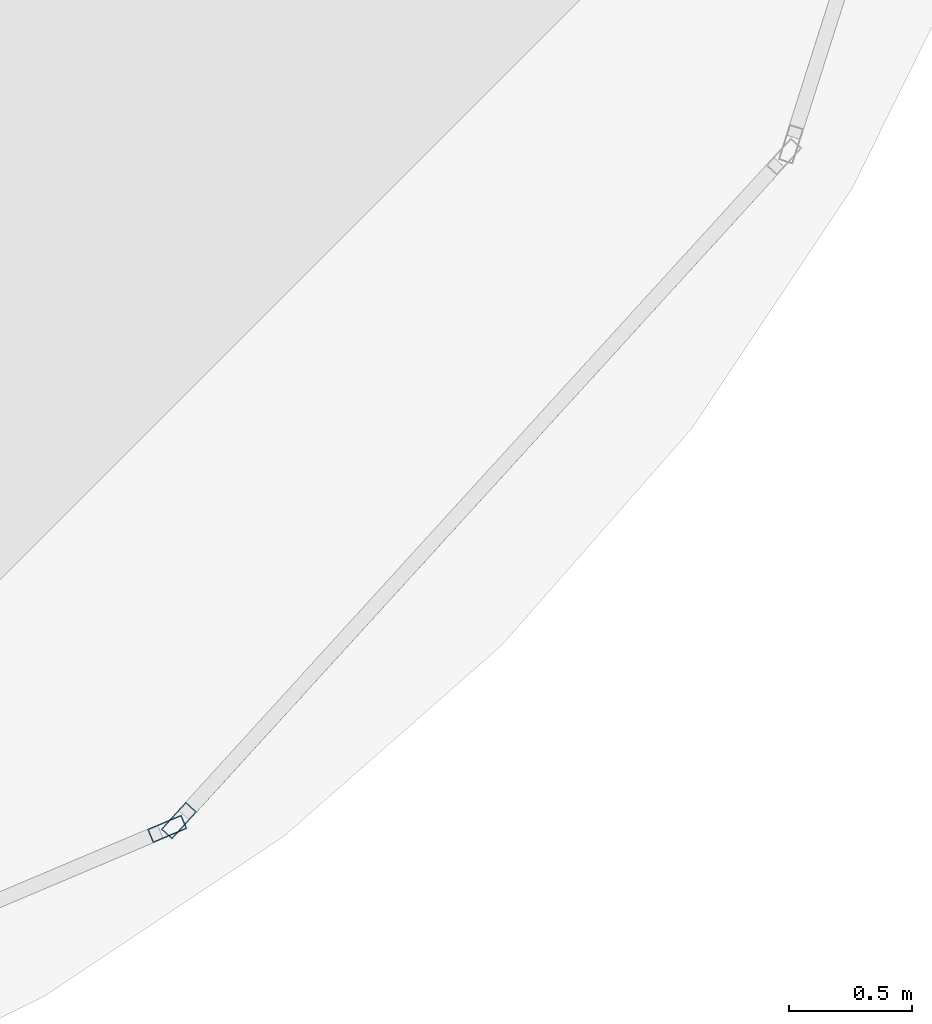
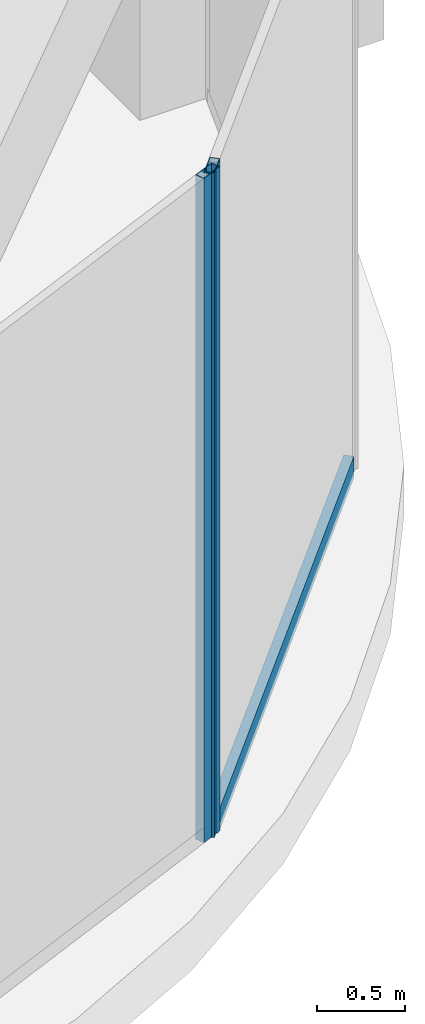
# One storey, part 11 of 32: 3 members, 2 elements without a shape of their own.
"""IFC4 building model written with IfcOpenShell, lengths in metres."""

from ifc_helpers import new_model, si_unit, direction, frame, origin, origin_2d, place, context, subcontext, project, spatial, hollow_rectangle, extrude, material, material_profile, profile_set, type_object, element, aggregate, save


model = new_model("IFC4")

# Units and contexts
model_context = context("Model", 3, precision=1e-05, world=origin(), true_north=direction((0.0, 1.0)))
body_context = subcontext(model_context, "Body", "Model", "MODEL_VIEW")
ifc_project = project(units=[si_unit("LENGTHUNIT", "METRE"), si_unit("AREAUNIT", "SQUARE_METRE"), si_unit("VOLUMEUNIT", "CUBIC_METRE"), si_unit("PLANEANGLEUNIT", "RADIAN"), si_unit("MASSUNIT", "GRAM", prefix="KILO")], contexts=[model_context])

# Site, building, storey
site_placement = place(None, origin())
site = spatial("IfcSite", under=ifc_project, at=site_placement, CompositionType="ELEMENT")
building_placement = place(site_placement, origin())
building = spatial("IfcBuilding", under=site, at=building_placement, Name="Zorevar Civic Tower", CompositionType="ELEMENT")
storey_placement = place(building_placement, frame((0.0, 0.0, 234.39990234375)))
storey = spatial("IfcBuildingStorey", under=building, at=storey_placement, Name="L57", CompositionType="ELEMENT", Elevation=234.39990234375)

# Curtain wall, member
ifc_material_1 = material(Name="Black aluminium louvres", Category="aluminium")
curtain_wall_type = type_object("IfcCurtainWallType", Name="Louvred curtain wall CW6 refuge", PredefinedType="NOTDEFINED", material=ifc_material_1)
curtain_wall_1_placement = place(storey_placement, origin())
curtain_wall_1 = element("IfcCurtainWall", 1, at=curtain_wall_1_placement, inside=storey, type_object=curtain_wall_type, Name="CW6 L57", PredefinedType="NOTDEFINED")
ifc_material_2 = material(Name="Aluminium, black anodised", Category="aluminium")
ifc_material_profile_1 = material_profile(ifc_material_2, hollow_rectangle(XDim=0.06005859375, YDim=0.14990234375, WallThickness=0.00390625, at=origin_2d()), Name="AL 150x60x4")
ifc_profile_set_1 = profile_set([ifc_material_profile_1], Name="Aluminium, black anodised")
member_type_1 = type_object("IfcMemberType", Name="CW6 mullion AL 150x60x4", PredefinedType="MULLION", material=ifc_profile_set_1)
member_1_placement = place(storey_placement, frame((50.00048828125, 1.888427734375, 0.0), z_axis=(0.0, 0.0, 1.0), x_axis=(-0.389965213734, 0.920829589054, 0.0)))
member_1 = element("IfcMember", 2, at=member_1_placement, type_object=member_type_1, Name="CW6 mullion 2", PredefinedType="MULLION", context=body_context, shape_type="SweptSolid", body=[
    extrude(hollow_rectangle(XDim=0.06005859375, YDim=0.14990234375, WallThickness=0.00390625, at=origin_2d()), origin(), (0.0, 0.0, 1.0), 4.60009765625),
])
aggregate(curtain_wall_1, [member_1])

# Curtain wall, members
curtain_wall_2_placement = place(storey_placement, origin())
curtain_wall_2 = element("IfcCurtainWall", 3, at=curtain_wall_2_placement, inside=storey, type_object=curtain_wall_type, Name="CW6 L57", PredefinedType="NOTDEFINED")
member_2_placement = place(storey_placement, frame((50.04833984375, 1.92236328125, 0.0), z_axis=(0.0, 0.0, 1.0), x_axis=(-0.739157439623, 0.673532686252, 0.0)))
member_2 = element("IfcMember", 4, at=member_2_placement, type_object=member_type_1, Name="CW6 mullion 1", PredefinedType="MULLION", context=body_context, shape_type="SweptSolid", body=[
    extrude(hollow_rectangle(XDim=0.06005859375, YDim=0.14990234375, WallThickness=0.00390625, at=origin_2d()), origin(), (0.0, 0.0, 1.0), 4.60009765625),
])
ifc_material_3 = material(Name="Aluminium, black anodised", Category="aluminium")
ifc_material_profile_2 = material_profile(ifc_material_3, hollow_rectangle(XDim=0.06005859375, YDim=0.14990234375, WallThickness=0.00390625, at=origin_2d()), Name="AL 150x60x4")
ifc_profile_set_2 = profile_set([ifc_material_profile_2], Name="Aluminium, black anodised")
member_type_2 = type_object("IfcMemberType", Name="CW6 transom AL 150x60x4", PredefinedType="USERDEFINED", material=ifc_profile_set_2)
member_3_placement = place(storey_placement, frame((50.068603515625, 1.944580078125, 0.030029296875), z_axis=(0.673512212278, 0.739176095334, 0.0), x_axis=(-0.739176095334, 0.673512212278, 0.0)))
member_3 = element("IfcMember", 5, at=member_3_placement, type_object=member_type_2, Name="CW6 sill transom", ObjectType="TRANSOM", PredefinedType="USERDEFINED", context=body_context, shape_type="SweptSolid", body=[
    extrude(hollow_rectangle(XDim=0.06005859375, YDim=0.14990234375, WallThickness=0.00390625, at=origin_2d()), origin(), (0.0, 0.0, 1.0), 3.602783203125),
])
aggregate(curtain_wall_2, [member_2, member_3])

save(model, "model.ifc")
